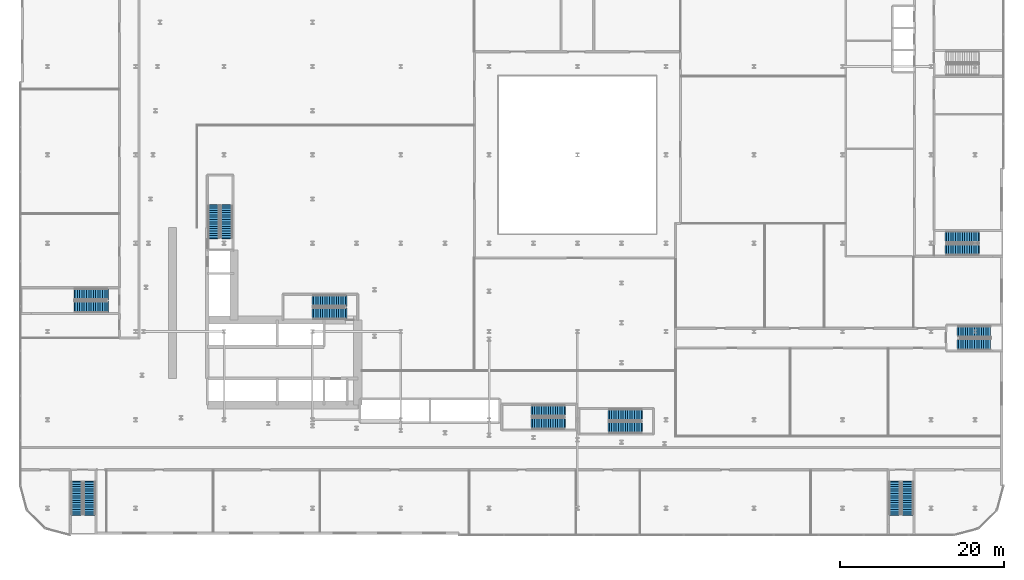
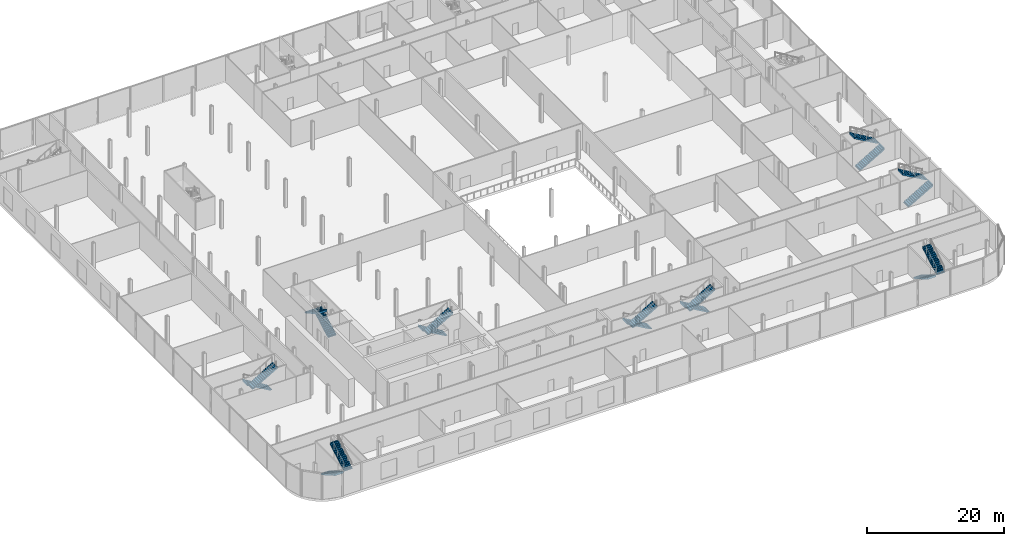
# One storey, part 36 of 47: 18 stair flights, 9 elements without a shape of their own.
"""IFC4 building model written with IfcOpenShell, lengths in metres."""

from ifc_helpers import new_model, si_unit, direction, frame, origin, place, context, subcontext, project, spatial, polyline, outline, extrude, material, layer, layer_set, type_object, element, aggregate, save


model = new_model("IFC4")

# Units and contexts
model_context = context("Model", 3, precision=1e-05, world=origin(), true_north=direction((0.0, 1.0)))
body_context = subcontext(model_context, "Body", "Model", "MODEL_VIEW")
ifc_project = project(units=[si_unit("LENGTHUNIT", "METRE"), si_unit("AREAUNIT", "SQUARE_METRE"), si_unit("VOLUMEUNIT", "CUBIC_METRE"), si_unit("PLANEANGLEUNIT", "RADIAN"), si_unit("MASSUNIT", "GRAM", prefix="KILO")], contexts=[model_context])

# Site, building, storey
site_placement = place(None, origin())
site = spatial("IfcSite", under=ifc_project, at=site_placement, CompositionType="ELEMENT")
building_placement = place(site_placement, origin())
building = spatial("IfcBuilding", under=site, at=building_placement, Name="Kheshtan School and Residences Tower", CompositionType="ELEMENT")
storey_placement = place(building_placement, frame((0.0, 0.0, 7.5)))
storey = spatial("IfcBuildingStorey", under=building, at=storey_placement, Name="L01", CompositionType="ELEMENT", Elevation=7.5)

# Stair, stair flights
ifc_material = material(Name="Concrete C40/50", Category="concrete")
stair_type = type_object("IfcStairType", Name="Exit stair, half-turn", PredefinedType="HALF_TURN_STAIR", material=ifc_material)
stair_1_placement = place(storey_placement, origin())
stair_1 = element("IfcStair", 1, at=stair_1_placement, inside=storey, type_object=stair_type, Name="L01 Protected Exit Stair ST1", PredefinedType="HALF_TURN_STAIR")
ifc_layer = layer(ifc_material, 0.14990234375)
ifc_layer_set = layer_set([ifc_layer], Name="Stair flight 1400 Concrete C40/50")
stair_flight_type = type_object("IfcStairFlightType", Name="Stair flight 1400 Concrete C40/50", PredefinedType="STRAIGHT", material=ifc_layer_set)
stair_flight_1_placement = place(storey_placement, frame((51.64990234375, 38.550048828125, 0.0), z_axis=(0.0, 0.0, 1.0), x_axis=(-1.0, 0.0, 0.0)))
stair_flight_1 = element("IfcStairFlight", 2, at=stair_flight_1_placement, type_object=stair_flight_type, Name="ST1 flight 1", NumberOfRisers=15, NumberOfTreads=14, PredefinedType="STRAIGHT", RiserHeight=0.166666667, TreadLength=0.28, context=body_context, shape_type="SweptSolid", body=[
    extrude(outline(polyline([(-0.14990234375, -0.10009765625), (-0.14990234375, 0.0), (0.0, 0.0), (0.0, 0.166748046875), (0.280029296875, 0.166748046875), (0.280029296875, 0.333251953125), (0.56005859375, 0.333251953125), (0.56005859375, 0.5), (0.840087890625, 0.5), (0.840087890625, 0.666748046875), (1.1201171875, 0.666748046875), (1.1201171875, 0.833251953125), (1.39990234375, 0.833251953125), (1.39990234375, 1.0), (1.679931640625, 1.0), (1.679931640625, 1.166748046875), (1.9599609375, 1.166748046875), (1.9599609375, 1.333251953125), (2.239990234375, 1.333251953125), (2.239990234375, 1.5), (2.52001953125, 1.5), (2.52001953125, 1.666748046875), (2.800048828125, 1.666748046875), (2.800048828125, 1.833251953125), (3.080078125, 1.833251953125), (3.080078125, 2.0), (3.360107421875, 2.0), (3.360107421875, 2.166748046875), (3.639892578125, 2.166748046875), (3.639892578125, 2.333251953125), (3.919921875, 2.333251953125), (3.919921875, 2.5), (3.919921875, 2.52001953125), (4.06982421875, 2.52001953125), (4.06982421875, 2.158935546875), (0.29296875, 0.0), (-0.14990234375, -0.10009765625)])), frame((0.0, 0.699951171875, 0.0), z_axis=(0.0, -1.0, 0.0), x_axis=(1.0, 0.0, 0.0)), (0.0, 0.0, 1.0), 1.39990234375),
])
stair_flight_2_placement = place(storey_placement, frame((47.72998046875, 37.0, 2.5), z_axis=(0.0, 0.0, 1.0), x_axis=(1.0, 0.0, 0.0)))
stair_flight_2 = element("IfcStairFlight", 3, at=stair_flight_2_placement, type_object=stair_flight_type, Name="ST1 flight 2", NumberOfRisers=15, NumberOfTreads=14, PredefinedType="STRAIGHT", RiserHeight=0.166666667, TreadLength=0.28, context=body_context, shape_type="SweptSolid", body=[
    extrude(outline(polyline([(-0.14990234375, -0.10009765625), (-0.14990234375, 0.0), (0.0, 0.0), (0.0, 0.166748046875), (0.280029296875, 0.166748046875), (0.280029296875, 0.333251953125), (0.56005859375, 0.333251953125), (0.56005859375, 0.5), (0.840087890625, 0.5), (0.840087890625, 0.666748046875), (1.1201171875, 0.666748046875), (1.1201171875, 0.833251953125), (1.39990234375, 0.833251953125), (1.39990234375, 1.0), (1.679931640625, 1.0), (1.679931640625, 1.166748046875), (1.9599609375, 1.166748046875), (1.9599609375, 1.333251953125), (2.239990234375, 1.333251953125), (2.239990234375, 1.5), (2.52001953125, 1.5), (2.52001953125, 1.666748046875), (2.800048828125, 1.666748046875), (2.800048828125, 1.833251953125), (3.080078125, 1.833251953125), (3.080078125, 2.0), (3.360107421875, 2.0), (3.360107421875, 2.166748046875), (3.639892578125, 2.166748046875), (3.639892578125, 2.333251953125), (3.919921875, 2.333251953125), (3.919921875, 2.5), (3.919921875, 2.52001953125), (4.06982421875, 2.52001953125), (4.06982421875, 2.158935546875), (0.29296875, 0.0), (-0.14990234375, -0.10009765625)])), frame((0.0, 0.699951171875, 0.0), z_axis=(0.0, -1.0, 0.0), x_axis=(1.0, 0.0, 0.0)), (0.0, 0.0, 1.0), 1.39990234375),
])
aggregate(stair_1, [stair_flight_1, stair_flight_2])

stair_2_placement = place(storey_placement, origin())
stair_2 = element("IfcStair", 4, at=stair_2_placement, inside=storey, type_object=stair_type, Name="L01 Protected Exit Stair ST2", PredefinedType="HALF_TURN_STAIR")
stair_flight_3_placement = place(storey_placement, frame((37.10009765625, 46.25, 0.0), z_axis=(0.0, 0.0, 1.0), x_axis=(0.0, 1.0, 0.0)))
stair_flight_3 = element("IfcStairFlight", 5, at=stair_flight_3_placement, type_object=stair_flight_type, Name="ST2 flight 1", NumberOfRisers=15, NumberOfTreads=14, PredefinedType="STRAIGHT", RiserHeight=0.166666667, TreadLength=0.28, context=body_context, shape_type="SweptSolid", body=[
    extrude(outline(polyline([(-0.14990234375, -0.10009765625), (-0.14990234375, 0.0), (0.0, 0.0), (0.0, 0.166748046875), (0.280029296875, 0.166748046875), (0.280029296875, 0.333251953125), (0.56005859375, 0.333251953125), (0.56005859375, 0.5), (0.840087890625, 0.5), (0.840087890625, 0.666748046875), (1.1201171875, 0.666748046875), (1.1201171875, 0.833251953125), (1.39990234375, 0.833251953125), (1.39990234375, 1.0), (1.679931640625, 1.0), (1.679931640625, 1.166748046875), (1.9599609375, 1.166748046875), (1.9599609375, 1.333251953125), (2.239990234375, 1.333251953125), (2.239990234375, 1.5), (2.52001953125, 1.5), (2.52001953125, 1.666748046875), (2.800048828125, 1.666748046875), (2.800048828125, 1.833251953125), (3.080078125, 1.833251953125), (3.080078125, 2.0), (3.360107421875, 2.0), (3.360107421875, 2.166748046875), (3.639892578125, 2.166748046875), (3.639892578125, 2.333251953125), (3.919921875, 2.333251953125), (3.919921875, 2.5), (3.919921875, 2.52001953125), (4.06982421875, 2.52001953125), (4.06982421875, 2.158935546875), (0.29296875, 0.0), (-0.14990234375, -0.10009765625)])), frame((0.0, 0.699951171875, 0.0), z_axis=(0.0, -1.0, 0.0), x_axis=(1.0, 0.0, 0.0)), (0.0, 0.0, 1.0), 1.39990234375),
])
stair_flight_4_placement = place(storey_placement, frame((35.550048828125, 50.169921875, 2.5), z_axis=(0.0, 0.0, 1.0), x_axis=(0.0, -1.0, 0.0)))
stair_flight_4 = element("IfcStairFlight", 6, at=stair_flight_4_placement, type_object=stair_flight_type, Name="ST2 flight 2", NumberOfRisers=15, NumberOfTreads=14, PredefinedType="STRAIGHT", RiserHeight=0.166666667, TreadLength=0.28, context=body_context, shape_type="SweptSolid", body=[
    extrude(outline(polyline([(-0.14990234375, -0.10009765625), (-0.14990234375, 0.0), (0.0, 0.0), (0.0, 0.166748046875), (0.280029296875, 0.166748046875), (0.280029296875, 0.333251953125), (0.56005859375, 0.333251953125), (0.56005859375, 0.5), (0.840087890625, 0.5), (0.840087890625, 0.666748046875), (1.1201171875, 0.666748046875), (1.1201171875, 0.833251953125), (1.39990234375, 0.833251953125), (1.39990234375, 1.0), (1.679931640625, 1.0), (1.679931640625, 1.166748046875), (1.9599609375, 1.166748046875), (1.9599609375, 1.333251953125), (2.239990234375, 1.333251953125), (2.239990234375, 1.5), (2.52001953125, 1.5), (2.52001953125, 1.666748046875), (2.800048828125, 1.666748046875), (2.800048828125, 1.833251953125), (3.080078125, 1.833251953125), (3.080078125, 2.0), (3.360107421875, 2.0), (3.360107421875, 2.166748046875), (3.639892578125, 2.166748046875), (3.639892578125, 2.333251953125), (3.919921875, 2.333251953125), (3.919921875, 2.5), (3.919921875, 2.52001953125), (4.06982421875, 2.52001953125), (4.06982421875, 2.158935546875), (0.29296875, 0.0), (-0.14990234375, -0.10009765625)])), frame((0.0, 0.699951171875, 0.0), z_axis=(0.0, -1.0, 0.0), x_axis=(1.0, 0.0, 0.0)), (0.0, 0.0, 1.0), 1.39990234375),
])
aggregate(stair_2, [stair_flight_3, stair_flight_4])

stair_3_placement = place(storey_placement, origin())
stair_3 = element("IfcStair", 7, at=stair_3_placement, inside=storey, type_object=stair_type, Name="L01 Protected Exit Stair ST4", PredefinedType="HALF_TURN_STAIR")
stair_flight_5_placement = place(storey_placement, frame((87.820068359375, 24.60009765625, 0.0), z_axis=(0.0, 0.0, 1.0), x_axis=(-1.0, 0.0, 0.0)))
stair_flight_5 = element("IfcStairFlight", 8, at=stair_flight_5_placement, type_object=stair_flight_type, Name="ST4 flight 1", NumberOfRisers=15, NumberOfTreads=14, PredefinedType="STRAIGHT", RiserHeight=0.166666667, TreadLength=0.28, context=body_context, shape_type="SweptSolid", body=[
    extrude(outline(polyline([(-0.14990234375, -0.10009765625), (-0.14990234375, 0.0), (0.0, 0.0), (0.0, 0.166748046875), (0.280029296875, 0.166748046875), (0.280029296875, 0.333251953125), (0.56005859375, 0.333251953125), (0.56005859375, 0.5), (0.840087890625, 0.5), (0.840087890625, 0.666748046875), (1.1201171875, 0.666748046875), (1.1201171875, 0.833251953125), (1.39990234375, 0.833251953125), (1.39990234375, 1.0), (1.679931640625, 1.0), (1.679931640625, 1.166748046875), (1.9599609375, 1.166748046875), (1.9599609375, 1.333251953125), (2.239990234375, 1.333251953125), (2.239990234375, 1.5), (2.52001953125, 1.5), (2.52001953125, 1.666748046875), (2.800048828125, 1.666748046875), (2.800048828125, 1.833251953125), (3.080078125, 1.833251953125), (3.080078125, 2.0), (3.360107421875, 2.0), (3.360107421875, 2.166748046875), (3.639892578125, 2.166748046875), (3.639892578125, 2.333251953125), (3.919921875, 2.333251953125), (3.919921875, 2.5), (3.919921875, 2.52001953125), (4.06982421875, 2.52001953125), (4.06982421875, 2.158935546875), (0.29296875, 0.0), (-0.14990234375, -0.10009765625)])), frame((0.0, 0.699951171875, 0.0), z_axis=(0.0, -1.0, 0.0), x_axis=(1.0, 0.0, 0.0)), (0.0, 0.0, 1.0), 1.39990234375),
])
stair_flight_6_placement = place(storey_placement, frame((83.89990234375, 23.050048828125, 2.5), z_axis=(0.0, 0.0, 1.0), x_axis=(1.0, 0.0, 0.0)))
stair_flight_6 = element("IfcStairFlight", 9, at=stair_flight_6_placement, type_object=stair_flight_type, Name="ST4 flight 2", NumberOfRisers=15, NumberOfTreads=14, PredefinedType="STRAIGHT", RiserHeight=0.166666667, TreadLength=0.28, context=body_context, shape_type="SweptSolid", body=[
    extrude(outline(polyline([(-0.14990234375, -0.10009765625), (-0.14990234375, 0.0), (0.0, 0.0), (0.0, 0.166748046875), (0.280029296875, 0.166748046875), (0.280029296875, 0.333251953125), (0.56005859375, 0.333251953125), (0.56005859375, 0.5), (0.840087890625, 0.5), (0.840087890625, 0.666748046875), (1.1201171875, 0.666748046875), (1.1201171875, 0.833251953125), (1.39990234375, 0.833251953125), (1.39990234375, 1.0), (1.679931640625, 1.0), (1.679931640625, 1.166748046875), (1.9599609375, 1.166748046875), (1.9599609375, 1.333251953125), (2.239990234375, 1.333251953125), (2.239990234375, 1.5), (2.52001953125, 1.5), (2.52001953125, 1.666748046875), (2.800048828125, 1.666748046875), (2.800048828125, 1.833251953125), (3.080078125, 1.833251953125), (3.080078125, 2.0), (3.360107421875, 2.0), (3.360107421875, 2.166748046875), (3.639892578125, 2.166748046875), (3.639892578125, 2.333251953125), (3.919921875, 2.333251953125), (3.919921875, 2.5), (3.919921875, 2.52001953125), (4.06982421875, 2.52001953125), (4.06982421875, 2.158935546875), (0.29296875, 0.0), (-0.14990234375, -0.10009765625)])), frame((0.0, 0.699951171875, 0.0), z_axis=(0.0, -1.0, 0.0), x_axis=(1.0, 0.0, 0.0)), (0.0, 0.0, 1.0), 1.39990234375),
])
aggregate(stair_3, [stair_flight_5, stair_flight_6])

stair_4_placement = place(storey_placement, origin())
stair_4 = element("IfcStair", 10, at=stair_4_placement, inside=storey, type_object=stair_type, Name="L01 Protected Exit Stair ST5", PredefinedType="HALF_TURN_STAIR")
stair_flight_7_placement = place(storey_placement, frame((78.409912109375, 25.10009765625, 0.0), z_axis=(0.0, 0.0, 1.0), x_axis=(-1.0, 0.0, 0.0)))
stair_flight_7 = element("IfcStairFlight", 11, at=stair_flight_7_placement, type_object=stair_flight_type, Name="ST5 flight 1", NumberOfRisers=15, NumberOfTreads=14, PredefinedType="STRAIGHT", RiserHeight=0.166666667, TreadLength=0.28, context=body_context, shape_type="SweptSolid", body=[
    extrude(outline(polyline([(-0.14990234375, -0.10009765625), (-0.14990234375, 0.0), (0.0, 0.0), (0.0, 0.166748046875), (0.280029296875, 0.166748046875), (0.280029296875, 0.333251953125), (0.56005859375, 0.333251953125), (0.56005859375, 0.5), (0.840087890625, 0.5), (0.840087890625, 0.666748046875), (1.1201171875, 0.666748046875), (1.1201171875, 0.833251953125), (1.39990234375, 0.833251953125), (1.39990234375, 1.0), (1.679931640625, 1.0), (1.679931640625, 1.166748046875), (1.9599609375, 1.166748046875), (1.9599609375, 1.333251953125), (2.239990234375, 1.333251953125), (2.239990234375, 1.5), (2.52001953125, 1.5), (2.52001953125, 1.666748046875), (2.800048828125, 1.666748046875), (2.800048828125, 1.833251953125), (3.080078125, 1.833251953125), (3.080078125, 2.0), (3.360107421875, 2.0), (3.360107421875, 2.166748046875), (3.639892578125, 2.166748046875), (3.639892578125, 2.333251953125), (3.919921875, 2.333251953125), (3.919921875, 2.5), (3.919921875, 2.52001953125), (4.06982421875, 2.52001953125), (4.06982421875, 2.158935546875), (0.29296875, 0.0), (-0.14990234375, -0.10009765625)])), frame((0.0, 0.699951171875, 0.0), z_axis=(0.0, -1.0, 0.0), x_axis=(1.0, 0.0, 0.0)), (0.0, 0.0, 1.0), 1.39990234375),
])
stair_flight_8_placement = place(storey_placement, frame((74.489990234375, 23.550048828125, 2.5), z_axis=(0.0, 0.0, 1.0), x_axis=(1.0, 0.0, 0.0)))
stair_flight_8 = element("IfcStairFlight", 12, at=stair_flight_8_placement, type_object=stair_flight_type, Name="ST5 flight 2", NumberOfRisers=15, NumberOfTreads=14, PredefinedType="STRAIGHT", RiserHeight=0.166666667, TreadLength=0.28, context=body_context, shape_type="SweptSolid", body=[
    extrude(outline(polyline([(-0.14990234375, -0.10009765625), (-0.14990234375, 0.0), (0.0, 0.0), (0.0, 0.166748046875), (0.280029296875, 0.166748046875), (0.280029296875, 0.333251953125), (0.56005859375, 0.333251953125), (0.56005859375, 0.5), (0.840087890625, 0.5), (0.840087890625, 0.666748046875), (1.1201171875, 0.666748046875), (1.1201171875, 0.833251953125), (1.39990234375, 0.833251953125), (1.39990234375, 1.0), (1.679931640625, 1.0), (1.679931640625, 1.166748046875), (1.9599609375, 1.166748046875), (1.9599609375, 1.333251953125), (2.239990234375, 1.333251953125), (2.239990234375, 1.5), (2.52001953125, 1.5), (2.52001953125, 1.666748046875), (2.800048828125, 1.666748046875), (2.800048828125, 1.833251953125), (3.080078125, 1.833251953125), (3.080078125, 2.0), (3.360107421875, 2.0), (3.360107421875, 2.166748046875), (3.639892578125, 2.166748046875), (3.639892578125, 2.333251953125), (3.919921875, 2.333251953125), (3.919921875, 2.5), (3.919921875, 2.52001953125), (4.06982421875, 2.52001953125), (4.06982421875, 2.158935546875), (0.29296875, 0.0), (-0.14990234375, -0.10009765625)])), frame((0.0, 0.699951171875, 0.0), z_axis=(0.0, -1.0, 0.0), x_axis=(1.0, 0.0, 0.0)), (0.0, 0.0, 1.0), 1.39990234375),
])
aggregate(stair_4, [stair_flight_7, stair_flight_8])

stair_5_placement = place(storey_placement, origin())
stair_5 = element("IfcStair", 13, at=stair_5_placement, inside=storey, type_object=stair_type, Name="L01 Civic Exit Stair 012-037", PredefinedType="HALF_TURN_STAIR")
stair_flight_9_placement = place(storey_placement, frame((22.5, 39.35009765625, 0.0), z_axis=(0.0, 0.0, 1.0), x_axis=(-1.0, 0.0, 0.0)))
stair_flight_9 = element("IfcStairFlight", 14, at=stair_flight_9_placement, type_object=stair_flight_type, Name="PS-012-037 flight 1", NumberOfRisers=15, NumberOfTreads=14, PredefinedType="STRAIGHT", RiserHeight=0.166666667, TreadLength=0.28, context=body_context, shape_type="SweptSolid", body=[
    extrude(outline(polyline([(-0.14990234375, -0.10009765625), (-0.14990234375, 0.0), (0.0, 0.0), (0.0, 0.166748046875), (0.280029296875, 0.166748046875), (0.280029296875, 0.333251953125), (0.56005859375, 0.333251953125), (0.56005859375, 0.5), (0.840087890625, 0.5), (0.840087890625, 0.666748046875), (1.1201171875, 0.666748046875), (1.1201171875, 0.833251953125), (1.39990234375, 0.833251953125), (1.39990234375, 1.0), (1.679931640625, 1.0), (1.679931640625, 1.166748046875), (1.9599609375, 1.166748046875), (1.9599609375, 1.333251953125), (2.239990234375, 1.333251953125), (2.239990234375, 1.5), (2.52001953125, 1.5), (2.52001953125, 1.666748046875), (2.800048828125, 1.666748046875), (2.800048828125, 1.833251953125), (3.080078125, 1.833251953125), (3.080078125, 2.0), (3.360107421875, 2.0), (3.360107421875, 2.166748046875), (3.639892578125, 2.166748046875), (3.639892578125, 2.333251953125), (3.919921875, 2.333251953125), (3.919921875, 2.5), (3.919921875, 2.52001953125), (4.06982421875, 2.52001953125), (4.06982421875, 2.158935546875), (0.29296875, 0.0), (-0.14990234375, -0.10009765625)])), frame((0.0, 0.699951171875, 0.0), z_axis=(0.0, -1.0, 0.0), x_axis=(1.0, 0.0, 0.0)), (0.0, 0.0, 1.0), 1.39990234375),
])
stair_flight_10_placement = place(storey_placement, frame((18.580078125, 37.800048828125, 2.5), z_axis=(0.0, 0.0, 1.0), x_axis=(1.0, 0.0, 0.0)))
stair_flight_10 = element("IfcStairFlight", 15, at=stair_flight_10_placement, type_object=stair_flight_type, Name="PS-012-037 flight 2", NumberOfRisers=15, NumberOfTreads=14, PredefinedType="STRAIGHT", RiserHeight=0.166666667, TreadLength=0.28, context=body_context, shape_type="SweptSolid", body=[
    extrude(outline(polyline([(-0.14990234375, -0.10009765625), (-0.14990234375, 0.0), (0.0, 0.0), (0.0, 0.166748046875), (0.280029296875, 0.166748046875), (0.280029296875, 0.333251953125), (0.56005859375, 0.333251953125), (0.56005859375, 0.5), (0.840087890625, 0.5), (0.840087890625, 0.666748046875), (1.1201171875, 0.666748046875), (1.1201171875, 0.833251953125), (1.39990234375, 0.833251953125), (1.39990234375, 1.0), (1.679931640625, 1.0), (1.679931640625, 1.166748046875), (1.9599609375, 1.166748046875), (1.9599609375, 1.333251953125), (2.239990234375, 1.333251953125), (2.239990234375, 1.5), (2.52001953125, 1.5), (2.52001953125, 1.666748046875), (2.800048828125, 1.666748046875), (2.800048828125, 1.833251953125), (3.080078125, 1.833251953125), (3.080078125, 2.0), (3.360107421875, 2.0), (3.360107421875, 2.166748046875), (3.639892578125, 2.166748046875), (3.639892578125, 2.333251953125), (3.919921875, 2.333251953125), (3.919921875, 2.5), (3.919921875, 2.52001953125), (4.06982421875, 2.52001953125), (4.06982421875, 2.158935546875), (0.29296875, 0.0), (-0.14990234375, -0.10009765625)])), frame((0.0, 0.699951171875, 0.0), z_axis=(0.0, -1.0, 0.0), x_axis=(1.0, 0.0, 0.0)), (0.0, 0.0, 1.0), 1.39990234375),
])
aggregate(stair_5, [stair_flight_9, stair_flight_10])

stair_6_placement = place(storey_placement, origin())
stair_6 = element("IfcStair", 16, at=stair_6_placement, inside=storey, type_object=stair_type, Name="L01 Civic Exit Stair 018-010", PredefinedType="HALF_TURN_STAIR")
stair_flight_11_placement = place(storey_placement, frame((18.800048828125, 16.39990234375, 0.0), z_axis=(0.0, 0.0, 1.0), x_axis=(0.0, -1.0, 0.0)))
stair_flight_11 = element("IfcStairFlight", 17, at=stair_flight_11_placement, type_object=stair_flight_type, Name="PS-018-010 flight 1", NumberOfRisers=15, NumberOfTreads=14, PredefinedType="STRAIGHT", RiserHeight=0.166666667, TreadLength=0.28, context=body_context, shape_type="SweptSolid", body=[
    extrude(outline(polyline([(-0.14990234375, -0.10009765625), (-0.14990234375, 0.0), (0.0, 0.0), (0.0, 0.166748046875), (0.280029296875, 0.166748046875), (0.280029296875, 0.333251953125), (0.56005859375, 0.333251953125), (0.56005859375, 0.5), (0.840087890625, 0.5), (0.840087890625, 0.666748046875), (1.1201171875, 0.666748046875), (1.1201171875, 0.833251953125), (1.39990234375, 0.833251953125), (1.39990234375, 1.0), (1.679931640625, 1.0), (1.679931640625, 1.166748046875), (1.9599609375, 1.166748046875), (1.9599609375, 1.333251953125), (2.239990234375, 1.333251953125), (2.239990234375, 1.5), (2.52001953125, 1.5), (2.52001953125, 1.666748046875), (2.800048828125, 1.666748046875), (2.800048828125, 1.833251953125), (3.080078125, 1.833251953125), (3.080078125, 2.0), (3.360107421875, 2.0), (3.360107421875, 2.166748046875), (3.639892578125, 2.166748046875), (3.639892578125, 2.333251953125), (3.919921875, 2.333251953125), (3.919921875, 2.5), (3.919921875, 2.52001953125), (4.06982421875, 2.52001953125), (4.06982421875, 2.158935546875), (0.29296875, 0.0), (-0.14990234375, -0.10009765625)])), frame((0.0, 0.699951171875, 0.0), z_axis=(0.0, -1.0, 0.0), x_axis=(1.0, 0.0, 0.0)), (0.0, 0.0, 1.0), 1.39990234375),
])
stair_flight_12_placement = place(storey_placement, frame((20.35009765625, 12.47998046875, 2.5), z_axis=(0.0, 0.0, 1.0), x_axis=(0.0, 1.0, 0.0)))
stair_flight_12 = element("IfcStairFlight", 18, at=stair_flight_12_placement, type_object=stair_flight_type, Name="PS-018-010 flight 2", NumberOfRisers=15, NumberOfTreads=14, PredefinedType="STRAIGHT", RiserHeight=0.166666667, TreadLength=0.28, context=body_context, shape_type="SweptSolid", body=[
    extrude(outline(polyline([(-0.14990234375, -0.10009765625), (-0.14990234375, 0.0), (0.0, 0.0), (0.0, 0.166748046875), (0.280029296875, 0.166748046875), (0.280029296875, 0.333251953125), (0.56005859375, 0.333251953125), (0.56005859375, 0.5), (0.840087890625, 0.5), (0.840087890625, 0.666748046875), (1.1201171875, 0.666748046875), (1.1201171875, 0.833251953125), (1.39990234375, 0.833251953125), (1.39990234375, 1.0), (1.679931640625, 1.0), (1.679931640625, 1.166748046875), (1.9599609375, 1.166748046875), (1.9599609375, 1.333251953125), (2.239990234375, 1.333251953125), (2.239990234375, 1.5), (2.52001953125, 1.5), (2.52001953125, 1.666748046875), (2.800048828125, 1.666748046875), (2.800048828125, 1.833251953125), (3.080078125, 1.833251953125), (3.080078125, 2.0), (3.360107421875, 2.0), (3.360107421875, 2.166748046875), (3.639892578125, 2.166748046875), (3.639892578125, 2.333251953125), (3.919921875, 2.333251953125), (3.919921875, 2.5), (3.919921875, 2.52001953125), (4.06982421875, 2.52001953125), (4.06982421875, 2.158935546875), (0.29296875, 0.0), (-0.14990234375, -0.10009765625)])), frame((0.0, 0.699951171875, 0.0), z_axis=(0.0, -1.0, 0.0), x_axis=(1.0, 0.0, 0.0)), (0.0, 0.0, 1.0), 1.39990234375),
])
aggregate(stair_6, [stair_flight_11, stair_flight_12])

stair_7_placement = place(storey_placement, origin())
stair_7 = element("IfcStair", 19, at=stair_7_placement, inside=storey, type_object=stair_type, Name="L01 Civic Exit Stair 118-010", PredefinedType="HALF_TURN_STAIR")
stair_flight_13_placement = place(storey_placement, frame((118.800048828125, 16.39990234375, 0.0), z_axis=(0.0, 0.0, 1.0), x_axis=(0.0, -1.0, 0.0)))
stair_flight_13 = element("IfcStairFlight", 20, at=stair_flight_13_placement, type_object=stair_flight_type, Name="PS-118-010 flight 1", NumberOfRisers=15, NumberOfTreads=14, PredefinedType="STRAIGHT", RiserHeight=0.166666667, TreadLength=0.28, context=body_context, shape_type="SweptSolid", body=[
    extrude(outline(polyline([(-0.14990234375, -0.10009765625), (-0.14990234375, 0.0), (0.0, 0.0), (0.0, 0.166748046875), (0.280029296875, 0.166748046875), (0.280029296875, 0.333251953125), (0.56005859375, 0.333251953125), (0.56005859375, 0.5), (0.840087890625, 0.5), (0.840087890625, 0.666748046875), (1.1201171875, 0.666748046875), (1.1201171875, 0.833251953125), (1.39990234375, 0.833251953125), (1.39990234375, 1.0), (1.679931640625, 1.0), (1.679931640625, 1.166748046875), (1.9599609375, 1.166748046875), (1.9599609375, 1.333251953125), (2.239990234375, 1.333251953125), (2.239990234375, 1.5), (2.52001953125, 1.5), (2.52001953125, 1.666748046875), (2.800048828125, 1.666748046875), (2.800048828125, 1.833251953125), (3.080078125, 1.833251953125), (3.080078125, 2.0), (3.360107421875, 2.0), (3.360107421875, 2.166748046875), (3.639892578125, 2.166748046875), (3.639892578125, 2.333251953125), (3.919921875, 2.333251953125), (3.919921875, 2.5), (3.919921875, 2.52001953125), (4.06982421875, 2.52001953125), (4.06982421875, 2.158935546875), (0.29296875, 0.0), (-0.14990234375, -0.10009765625)])), frame((0.0, 0.699951171875, 0.0), z_axis=(0.0, -1.0, 0.0), x_axis=(1.0, 0.0, 0.0)), (0.0, 0.0, 1.0), 1.39990234375),
])
stair_flight_14_placement = place(storey_placement, frame((120.35009765625, 12.47998046875, 2.5), z_axis=(0.0, 0.0, 1.0), x_axis=(0.0, 1.0, 0.0)))
stair_flight_14 = element("IfcStairFlight", 21, at=stair_flight_14_placement, type_object=stair_flight_type, Name="PS-118-010 flight 2", NumberOfRisers=15, NumberOfTreads=14, PredefinedType="STRAIGHT", RiserHeight=0.166666667, TreadLength=0.28, context=body_context, shape_type="SweptSolid", body=[
    extrude(outline(polyline([(-0.14990234375, -0.10009765625), (-0.14990234375, 0.0), (0.0, 0.0), (0.0, 0.166748046875), (0.280029296875, 0.166748046875), (0.280029296875, 0.333251953125), (0.56005859375, 0.333251953125), (0.56005859375, 0.5), (0.840087890625, 0.5), (0.840087890625, 0.666748046875), (1.1201171875, 0.666748046875), (1.1201171875, 0.833251953125), (1.39990234375, 0.833251953125), (1.39990234375, 1.0), (1.679931640625, 1.0), (1.679931640625, 1.166748046875), (1.9599609375, 1.166748046875), (1.9599609375, 1.333251953125), (2.239990234375, 1.333251953125), (2.239990234375, 1.5), (2.52001953125, 1.5), (2.52001953125, 1.666748046875), (2.800048828125, 1.666748046875), (2.800048828125, 1.833251953125), (3.080078125, 1.833251953125), (3.080078125, 2.0), (3.360107421875, 2.0), (3.360107421875, 2.166748046875), (3.639892578125, 2.166748046875), (3.639892578125, 2.333251953125), (3.919921875, 2.333251953125), (3.919921875, 2.5), (3.919921875, 2.52001953125), (4.06982421875, 2.52001953125), (4.06982421875, 2.158935546875), (0.29296875, 0.0), (-0.14990234375, -0.10009765625)])), frame((0.0, 0.699951171875, 0.0), z_axis=(0.0, -1.0, 0.0), x_axis=(1.0, 0.0, 0.0)), (0.0, 0.0, 1.0), 1.39990234375),
])
aggregate(stair_7, [stair_flight_13, stair_flight_14])

stair_8_placement = place(storey_placement, origin())
stair_8 = element("IfcStair", 22, at=stair_8_placement, inside=storey, type_object=stair_type, Name="L01 School Exit Stair 124-044", PredefinedType="HALF_TURN_STAIR")
stair_flight_15_placement = place(storey_placement, frame((125.10009765625, 44.800048828125, 0.0), z_axis=(0.0, 0.0, 1.0), x_axis=(1.0, 0.0, 0.0)))
stair_flight_15 = element("IfcStairFlight", 23, at=stair_flight_15_placement, type_object=stair_flight_type, Name="PS-124-044 flight 1", NumberOfRisers=15, NumberOfTreads=14, PredefinedType="STRAIGHT", RiserHeight=0.166666667, TreadLength=0.28, context=body_context, shape_type="SweptSolid", body=[
    extrude(outline(polyline([(-0.14990234375, -0.10009765625), (-0.14990234375, 0.0), (0.0, 0.0), (0.0, 0.166748046875), (0.280029296875, 0.166748046875), (0.280029296875, 0.333251953125), (0.56005859375, 0.333251953125), (0.56005859375, 0.5), (0.840087890625, 0.5), (0.840087890625, 0.666748046875), (1.1201171875, 0.666748046875), (1.1201171875, 0.833251953125), (1.39990234375, 0.833251953125), (1.39990234375, 1.0), (1.679931640625, 1.0), (1.679931640625, 1.166748046875), (1.9599609375, 1.166748046875), (1.9599609375, 1.333251953125), (2.239990234375, 1.333251953125), (2.239990234375, 1.5), (2.52001953125, 1.5), (2.52001953125, 1.666748046875), (2.800048828125, 1.666748046875), (2.800048828125, 1.833251953125), (3.080078125, 1.833251953125), (3.080078125, 2.0), (3.360107421875, 2.0), (3.360107421875, 2.166748046875), (3.639892578125, 2.166748046875), (3.639892578125, 2.333251953125), (3.919921875, 2.333251953125), (3.919921875, 2.5), (3.919921875, 2.52001953125), (4.06982421875, 2.52001953125), (4.06982421875, 2.158935546875), (0.29296875, 0.0), (-0.14990234375, -0.10009765625)])), frame((0.0, 0.699951171875, 0.0), z_axis=(0.0, -1.0, 0.0), x_axis=(1.0, 0.0, 0.0)), (0.0, 0.0, 1.0), 1.39990234375),
])
stair_flight_16_placement = place(storey_placement, frame((129.02001953125, 46.35009765625, 2.5), z_axis=(0.0, 0.0, 1.0), x_axis=(-1.0, 0.0, 0.0)))
stair_flight_16 = element("IfcStairFlight", 24, at=stair_flight_16_placement, type_object=stair_flight_type, Name="PS-124-044 flight 2", NumberOfRisers=15, NumberOfTreads=14, PredefinedType="STRAIGHT", RiserHeight=0.166666667, TreadLength=0.28, context=body_context, shape_type="SweptSolid", body=[
    extrude(outline(polyline([(-0.14990234375, -0.10009765625), (-0.14990234375, 0.0), (0.0, 0.0), (0.0, 0.166748046875), (0.280029296875, 0.166748046875), (0.280029296875, 0.333251953125), (0.56005859375, 0.333251953125), (0.56005859375, 0.5), (0.840087890625, 0.5), (0.840087890625, 0.666748046875), (1.1201171875, 0.666748046875), (1.1201171875, 0.833251953125), (1.39990234375, 0.833251953125), (1.39990234375, 1.0), (1.679931640625, 1.0), (1.679931640625, 1.166748046875), (1.9599609375, 1.166748046875), (1.9599609375, 1.333251953125), (2.239990234375, 1.333251953125), (2.239990234375, 1.5), (2.52001953125, 1.5), (2.52001953125, 1.666748046875), (2.800048828125, 1.666748046875), (2.800048828125, 1.833251953125), (3.080078125, 1.833251953125), (3.080078125, 2.0), (3.360107421875, 2.0), (3.360107421875, 2.166748046875), (3.639892578125, 2.166748046875), (3.639892578125, 2.333251953125), (3.919921875, 2.333251953125), (3.919921875, 2.5), (3.919921875, 2.52001953125), (4.06982421875, 2.52001953125), (4.06982421875, 2.158935546875), (0.29296875, 0.0), (-0.14990234375, -0.10009765625)])), frame((0.0, 0.699951171875, 0.0), z_axis=(0.0, -1.0, 0.0), x_axis=(1.0, 0.0, 0.0)), (0.0, 0.0, 1.0), 1.39990234375),
])
aggregate(stair_8, [stair_flight_15, stair_flight_16])

stair_9_placement = place(storey_placement, origin())
stair_9 = element("IfcStair", 25, at=stair_9_placement, inside=storey, type_object=stair_type, Name="L01 Civic Exit Stair 125-032", PredefinedType="HALF_TURN_STAIR")
stair_flight_17_placement = place(storey_placement, frame((126.580078125, 33.22509765625, 0.0), z_axis=(0.0, 0.0, 1.0), x_axis=(1.0, 0.0, 0.0)))
stair_flight_17 = element("IfcStairFlight", 26, at=stair_flight_17_placement, type_object=stair_flight_type, Name="PS-125-032 flight 1", NumberOfRisers=15, NumberOfTreads=14, PredefinedType="STRAIGHT", RiserHeight=0.166666667, TreadLength=0.28, context=body_context, shape_type="SweptSolid", body=[
    extrude(outline(polyline([(-0.14990234375, -0.10009765625), (-0.14990234375, 0.0), (0.0, 0.0), (0.0, 0.166748046875), (0.280029296875, 0.166748046875), (0.280029296875, 0.333251953125), (0.56005859375, 0.333251953125), (0.56005859375, 0.5), (0.840087890625, 0.5), (0.840087890625, 0.666748046875), (1.1201171875, 0.666748046875), (1.1201171875, 0.833251953125), (1.39990234375, 0.833251953125), (1.39990234375, 1.0), (1.679931640625, 1.0), (1.679931640625, 1.166748046875), (1.9599609375, 1.166748046875), (1.9599609375, 1.333251953125), (2.239990234375, 1.333251953125), (2.239990234375, 1.5), (2.52001953125, 1.5), (2.52001953125, 1.666748046875), (2.800048828125, 1.666748046875), (2.800048828125, 1.833251953125), (3.080078125, 1.833251953125), (3.080078125, 2.0), (3.360107421875, 2.0), (3.360107421875, 2.166748046875), (3.639892578125, 2.166748046875), (3.639892578125, 2.333251953125), (3.919921875, 2.333251953125), (3.919921875, 2.5), (3.919921875, 2.52001953125), (4.06982421875, 2.52001953125), (4.06982421875, 2.158935546875), (0.29296875, 0.0), (-0.14990234375, -0.10009765625)])), frame((0.0, 0.699951171875, 0.0), z_axis=(0.0, -1.0, 0.0), x_axis=(1.0, 0.0, 0.0)), (0.0, 0.0, 1.0), 1.39990234375),
])
stair_flight_18_placement = place(storey_placement, frame((130.5, 34.77490234375, 2.5), z_axis=(0.0, 0.0, 1.0), x_axis=(-1.0, 0.0, 0.0)))
stair_flight_18 = element("IfcStairFlight", 27, at=stair_flight_18_placement, type_object=stair_flight_type, Name="PS-125-032 flight 2", NumberOfRisers=15, NumberOfTreads=14, PredefinedType="STRAIGHT", RiserHeight=0.166666667, TreadLength=0.28, context=body_context, shape_type="SweptSolid", body=[
    extrude(outline(polyline([(-0.14990234375, -0.10009765625), (-0.14990234375, 0.0), (0.0, 0.0), (0.0, 0.166748046875), (0.280029296875, 0.166748046875), (0.280029296875, 0.333251953125), (0.56005859375, 0.333251953125), (0.56005859375, 0.5), (0.840087890625, 0.5), (0.840087890625, 0.666748046875), (1.1201171875, 0.666748046875), (1.1201171875, 0.833251953125), (1.39990234375, 0.833251953125), (1.39990234375, 1.0), (1.679931640625, 1.0), (1.679931640625, 1.166748046875), (1.9599609375, 1.166748046875), (1.9599609375, 1.333251953125), (2.239990234375, 1.333251953125), (2.239990234375, 1.5), (2.52001953125, 1.5), (2.52001953125, 1.666748046875), (2.800048828125, 1.666748046875), (2.800048828125, 1.833251953125), (3.080078125, 1.833251953125), (3.080078125, 2.0), (3.360107421875, 2.0), (3.360107421875, 2.166748046875), (3.639892578125, 2.166748046875), (3.639892578125, 2.333251953125), (3.919921875, 2.333251953125), (3.919921875, 2.5), (3.919921875, 2.52001953125), (4.06982421875, 2.52001953125), (4.06982421875, 2.158935546875), (0.29296875, 0.0), (-0.14990234375, -0.10009765625)])), frame((0.0, 0.699951171875, 0.0), z_axis=(0.0, -1.0, 0.0), x_axis=(1.0, 0.0, 0.0)), (0.0, 0.0, 1.0), 1.39990234375),
])
aggregate(stair_9, [stair_flight_17, stair_flight_18])

save(model, "model.ifc")
